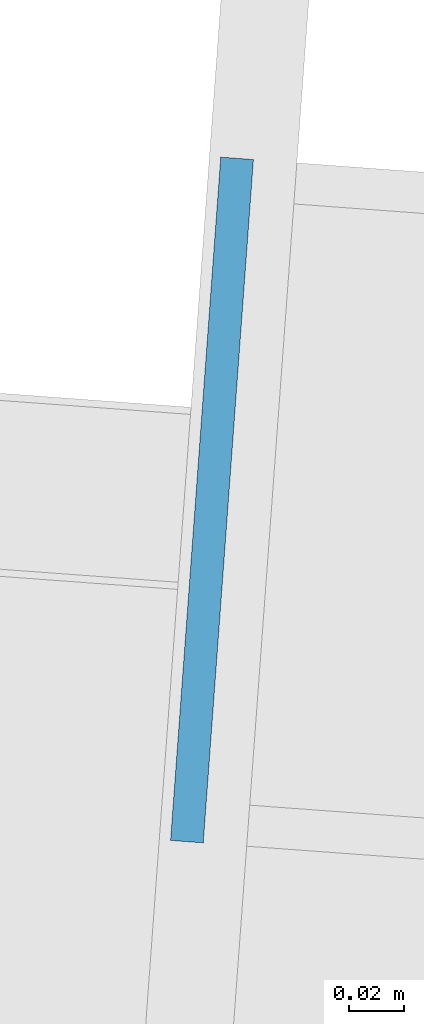
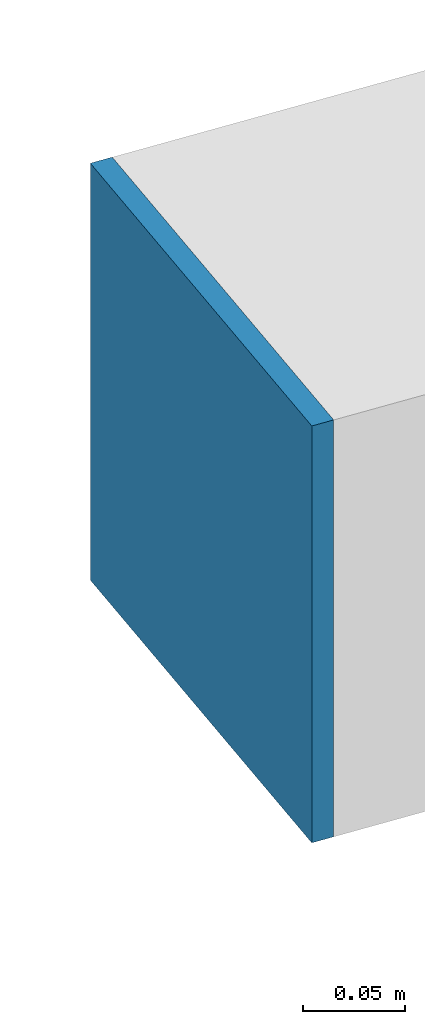
# One storey, part 26 of 34: 1 plate.
"""IFC4 building model written with IfcOpenShell, lengths in metres."""

from ifc_helpers import new_model, si_unit, direction, frame, origin, origin_2d, place, context, subcontext, project, spatial, rectangle, extrude, source, transform, mapped, material, layer, layer_set, type_object, element, save


model = new_model("IFC4")

# Units and contexts
model_context = context("Model", 3, precision=1e-05, world=origin(), true_north=direction((0.0, 1.0)))
body_context = subcontext(model_context, "Body", "Model", "MODEL_VIEW")
ifc_project = project(units=[si_unit("LENGTHUNIT", "METRE"), si_unit("AREAUNIT", "SQUARE_METRE"), si_unit("VOLUMEUNIT", "CUBIC_METRE"), si_unit("PLANEANGLEUNIT", "RADIAN"), si_unit("MASSUNIT", "GRAM", prefix="KILO")], contexts=[model_context])

# Site, building, storey
site_placement = place(None, origin())
site = spatial("IfcSite", under=ifc_project, at=site_placement, CompositionType="ELEMENT")
building_placement = place(site_placement, origin())
building = spatial("IfcBuilding", under=site, at=building_placement, Name="Taldren Reach Tower", CompositionType="ELEMENT")
storey_placement = place(building_placement, frame((0.0, 0.0, 239.75)))
storey = spatial("IfcBuildingStorey", under=building, at=storey_placement, Name="L73", CompositionType="ELEMENT", Elevation=239.75)

# Plate
ifc_material = material(Name="Steel Gr 350 (C350L0)", Category="steel")
ifc_layer = layer(ifc_material, 0.011962890625)
ifc_layer_set = layer_set([ifc_layer], Name="Steel Gr 350 (C350L0)")
plate_type = type_object("IfcPlateType", Name="PL-CAP-250", PredefinedType="SHEET", material=ifc_layer_set)
shared_shape = source(origin(), body_context, "Body", "SweptSolid", [
    extrude(rectangle(XDim=0.011962890625, YDim=0.25, at=origin_2d()), origin(), (0.0, 0.0, 1.0), 0.25),
])
plate_placement = place(storey_placement, frame((12.406494140625, 33.483154296875, 0.094970703125), z_axis=(0.0, 0.0, 1.0), x_axis=(0.997314477224, -0.073238197128, 0.0)))
element("IfcPlate", 1, at=plate_placement, inside=storey, type_object=plate_type, Name="Tie strut end cap plate B5-W3 L73", PredefinedType="SHEET", context=body_context, shape_type="MappedRepresentation", body=[
    mapped(shared_shape, transform((0.0, 0.0, 0.0), scale=1.0)),
])

save(model, "model.ifc")
